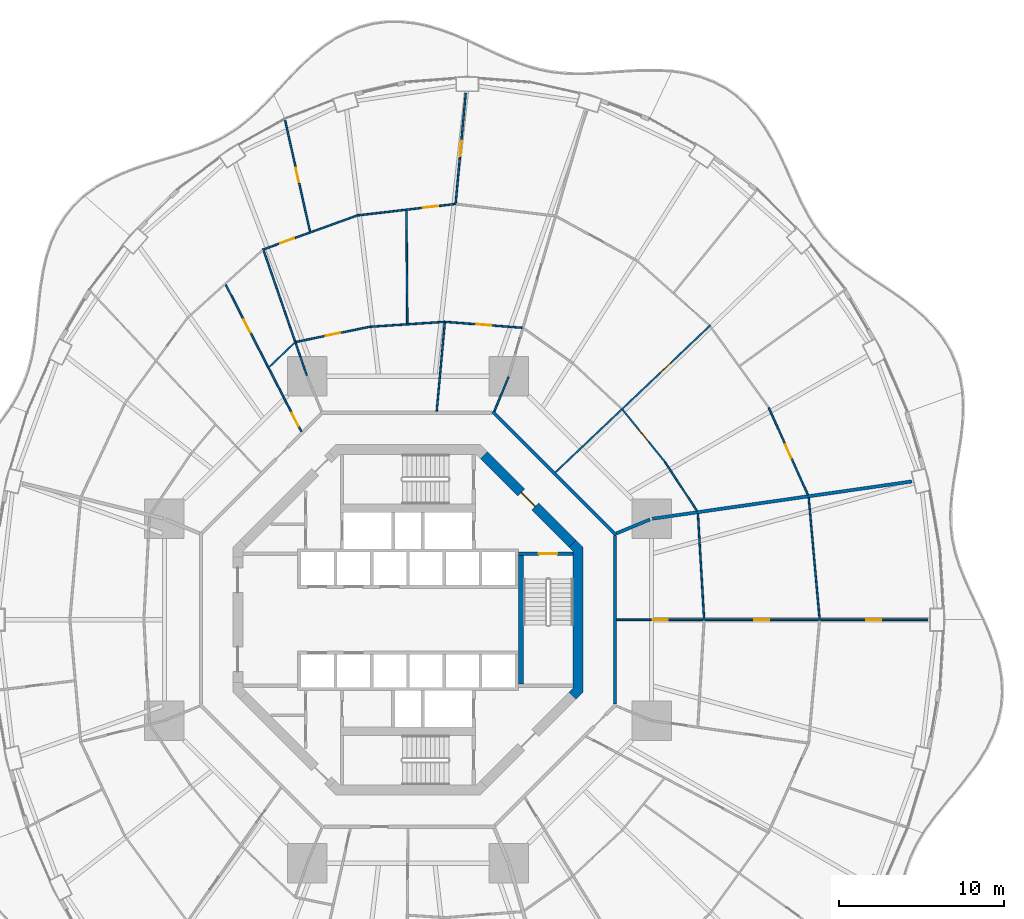
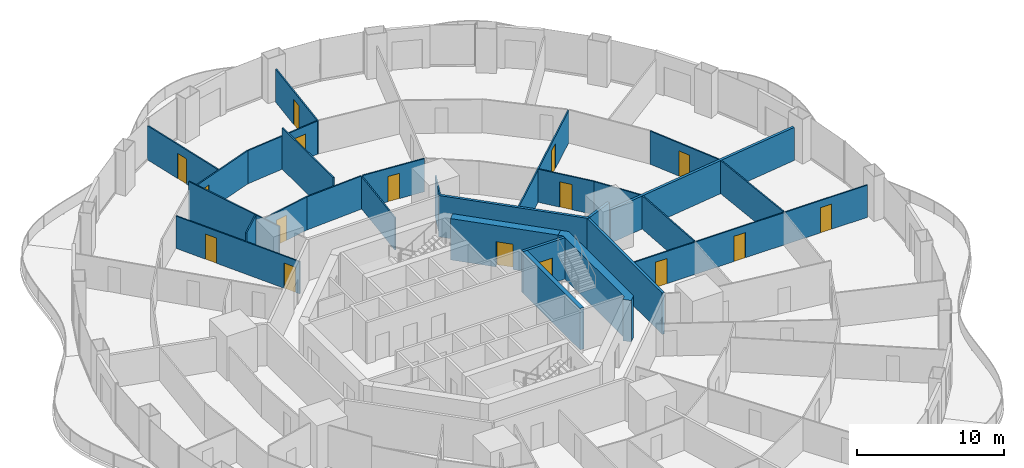
# One storey, part 18 of 22: 28 walls, 16 doors, 16 openings.
"""IFC4 building model written with IfcOpenShell, lengths in metres."""

import ifcopenshell
import ifcopenshell.guid

model = None  # the IFC model being written
_history = None  # IfcOwnerHistory: only IFC2X3 demands one
_inside = {}  # id of a spatial element -> (the spatial element, [elements in it])
_under = {}  # id of a project, library or spatial element -> (it, [spatial elements below it])
_declared = {}  # id of a project -> (the project, [libraries it declares])
_typed = {}  # id of a type object -> (the type object, [elements of that type])
_made_of = {}  # id of a material, layer set ... -> (it, [elements and type objects made of it])


def new_model(schema):
    """Start an empty IFC model of exactly this schema.

    Asked for "IFC4X3", IfcOpenShell would pick the latest addendum, in which some entities
    have other attributes; the version numbers below select the first issue.
    IFC2X3 requires an IfcOwnerHistory on every rooted entity: one is made here for all.
    """
    global model, _history
    if schema == "IFC4X3":
        model = ifcopenshell.file(schema_version=(4, 3, 0, 0))
    else:
        model = ifcopenshell.file(schema=schema)
    _inside.clear()
    _under.clear()
    _declared.clear()
    _typed.clear()
    _made_of.clear()
    _history = None
    if model.schema == "IFC2X3":
        org = make("IfcOrganization", Name="unknown")
        user = make(
            "IfcPersonAndOrganization",
            ThePerson=make("IfcPerson", FamilyName="unknown"),
            TheOrganization=org,
        )
        app = make(
            "IfcApplication",
            ApplicationDeveloper=org,
            Version="unknown",
            ApplicationFullName="unknown",
            ApplicationIdentifier="unknown",
        )
        _history = make(
            "IfcOwnerHistory",
            OwningUser=user,
            OwningApplication=app,
            ChangeAction="ADDED",
            CreationDate=0,
        )
    return model


def make(cls, **values):
    """One entity of the class cls with the attributes given. An attribute that is None is left unset."""
    return model.create_entity(
        cls, **{name: value for name, value in values.items() if value is not None}
    )


def rooted(cls, **values):
    """An entity with a GlobalId (a new one), such as an element, a storey or a relation."""
    return make(cls, GlobalId=ifcopenshell.guid.new(), OwnerHistory=_history, **values)


def si_unit(unit_type, name, prefix=None):
    """IfcSIUnit, for example si_unit("LENGTHUNIT", "METRE", prefix="MILLI")."""
    return make("IfcSIUnit", UnitType=unit_type, Prefix=prefix, Name=name)


def assignment(units):
    """IfcUnitAssignment: the units of a project."""
    return None if units is None else make("IfcUnitAssignment", Units=units)


def point(xyz):
    """IfcCartesianPoint."""
    return None if xyz is None else make("IfcCartesianPoint", Coordinates=xyz)


def direction(xyz):
    """IfcDirection."""
    return None if xyz is None else make("IfcDirection", DirectionRatios=xyz)


def frame(location, z_axis=None, x_axis=None):
    """IfcAxis2Placement3D, a coordinate frame: its origin and axes. An axis left out is left unset."""
    return make(
        "IfcAxis2Placement3D",
        Location=point(location),
        Axis=direction(z_axis),
        RefDirection=direction(x_axis),
    )


def frame_2d(location, x_axis=None):
    """IfcAxis2Placement2D, a coordinate frame in the plane: its origin and x axis."""
    return make(
        "IfcAxis2Placement2D", Location=point(location), RefDirection=direction(x_axis)
    )


def origin():
    """The frame at (0, 0, 0) with its axes left unset."""
    return frame((0.0, 0.0, 0.0))


def place(relative_to, where):
    """IfcLocalPlacement: puts the frame where relative to a parent placement (None: the world)."""
    return make(
        "IfcLocalPlacement", PlacementRelTo=relative_to, RelativePlacement=where
    )


def context(
    kind, dimensions, precision=None, world=None, true_north=None, identifier=None
):
    """IfcGeometricRepresentationContext, for example the 3D "Model" context."""
    return make(
        "IfcGeometricRepresentationContext",
        ContextIdentifier=identifier,
        ContextType=kind,
        CoordinateSpaceDimension=dimensions,
        Precision=precision,
        WorldCoordinateSystem=world,
        TrueNorth=true_north,
    )


def subcontext(parent, identifier, kind, view, scale=None):
    """IfcGeometricRepresentationSubContext, for example "Body" below "Model"."""
    return make(
        "IfcGeometricRepresentationSubContext",
        ContextIdentifier=identifier,
        ContextType=kind,
        ParentContext=parent,
        TargetScale=scale,
        TargetView=view,
    )


def project(units=None, contexts=None):
    """IfcProject with its units and contexts."""
    return rooted(
        "IfcProject",
        Name="project",
        RepresentationContexts=contexts,
        UnitsInContext=assignment(units),
    )


def spatial(cls, under=None, at=None, **own):
    """A site, building, storey or space (cls), placed at a placement, below another one or the project."""
    s = rooted(cls, ObjectPlacement=at, **own)
    if under is not None:
        _under.setdefault(under.id(), (under, []))[1].append(s)
    return s


def polyline(points):
    """IfcPolyline through the points."""
    return make("IfcPolyline", Points=[point(p) for p in points])


def profile(cls, at=None, kind="AREA", **sizes):
    """A parametric profile (cls). Its sizes go by their IFC names, for example OverallWidth=200.0."""
    return make(cls, ProfileType=kind, Position=at, **sizes)


def rectangle(**sizes):
    """IfcRectangleProfileDef."""
    return profile("IfcRectangleProfileDef", **sizes)


def outline(outer, holes=None, kind="AREA"):
    """IfcArbitraryClosedProfileDef: a profile drawn as a closed curve; with holes, ...WithVoids."""
    if holes is None:
        return make("IfcArbitraryClosedProfileDef", ProfileType=kind, OuterCurve=outer)
    return make(
        "IfcArbitraryProfileDefWithVoids",
        ProfileType=kind,
        OuterCurve=outer,
        InnerCurves=holes,
    )


def extrude(swept, where, along, depth):
    """IfcExtrudedAreaSolid: the profile swept, set in the frame where, extruded along a direction by depth."""
    return make(
        "IfcExtrudedAreaSolid",
        SweptArea=swept,
        Position=where,
        ExtrudedDirection=direction(along),
        Depth=depth,
    )


def shape(context_of_items, identifier, shape_type, items):
    """IfcShapeRepresentation: the items that make up one representation, for example the "Body"."""
    return make(
        "IfcShapeRepresentation",
        ContextOfItems=context_of_items,
        RepresentationIdentifier=identifier,
        RepresentationType=shape_type,
        Items=items,
    )


def material(Name=None, Category=None):
    """IfcMaterial."""
    return make("IfcMaterial", Name=Name, Category=Category)


def layer(
    of_material, thickness, ventilated=None, Name=None, Category=None, Priority=None
):
    """IfcMaterialLayer: one layer of a wall or slab, of a material (None: an air gap)."""
    return make(
        "IfcMaterialLayer",
        Material=of_material,
        LayerThickness=thickness,
        IsVentilated=ventilated,
        Name=Name,
        Category=Category,
        Priority=Priority,
    )


def layer_set(layers, Name=None):
    """IfcMaterialLayerSet."""
    return make("IfcMaterialLayerSet", MaterialLayers=layers, LayerSetName=Name)


def made_of(thing, what):
    """Note that an element or type object is made of a material, layer set ...; save() writes the relation."""
    if what is not None:
        _made_of.setdefault(what.id(), (what, []))[1].append(thing)
    return thing


def type_object(cls, material=None, **own):
    """A type object (cls), such as IfcWallType, which elements share."""
    return made_of(rooted(cls, **own), material)


def element(
    cls,
    number,
    at=None,
    inside=None,
    cuts=None,
    type_object=None,
    material=None,
    context=None,
    identifier="Body",
    shape_type=None,
    held_by="IfcProductDefinitionShape",
    body=None,
    shapes=None,
    **own,
):
    """One element of the class cls, such as IfcWall. Its Tag is "e" and its number.

    at: its placement. inside: the storey or other place that contains it. cuts: it is an
    opening in that element (IfcRelVoidsElement). A single representation is given by context,
    identifier, shape_type and body (its items); several are given by shapes. held_by: the class
    of the entity that holds the representations. save() writes the other relations.
    """
    e = rooted(cls, Tag="e%d" % number, ObjectPlacement=at, **own)
    if body is not None:
        shapes = [shape(context, identifier, shape_type, body)]
    if shapes is not None:
        e.Representation = make(held_by, Representations=shapes)
    if inside is not None:
        _inside.setdefault(inside.id(), (inside, []))[1].append(e)
    if cuts is not None:
        rooted(
            "IfcRelVoidsElement", RelatingBuildingElement=cuts, RelatedOpeningElement=e
        )
    if type_object is not None:
        _typed.setdefault(type_object.id(), (type_object, []))[1].append(e)
    return made_of(e, material)


def fill(opening, filler):
    """IfcRelFillsElement: the door or window that sits in an opening."""
    return rooted(
        "IfcRelFillsElement",
        RelatingOpeningElement=opening,
        RelatedBuildingElement=filler,
    )


def aggregate(whole, parts):
    """IfcRelAggregates: a whole, such as a stair, and the parts it consists of."""
    return rooted("IfcRelAggregates", RelatingObject=whole, RelatedObjects=parts)


def save(model, path):
    """Write the relations noted so far, then the file.

    IfcRelAggregates (storeys below a building ...), IfcRelContainedInSpatialStructure (elements
    in a storey), IfcRelDefinesByType, IfcRelAssociatesMaterial and IfcRelDeclares: one each for
    every whole, place, type object, material and project.
    """
    for whole, parts in _under.values():
        aggregate(whole, parts)
    for where, things in _inside.values():
        rooted(
            "IfcRelContainedInSpatialStructure",
            RelatedElements=things,
            RelatingStructure=where,
        )
    for kind, things in _typed.values():
        rooted("IfcRelDefinesByType", RelatedObjects=things, RelatingType=kind)
    for what, things in _made_of.values():
        rooted("IfcRelAssociatesMaterial", RelatedObjects=things, RelatingMaterial=what)
    for by, libraries in _declared.values():
        rooted("IfcRelDeclares", RelatingContext=by, RelatedDefinitions=libraries)
    model.write(path)


model = new_model("IFC4")

# Units and contexts
model_context = context("Model", 3, precision=1e-05, world=origin(), true_north=direction((0.0, 1.0)))
body_context = subcontext(model_context, "Body", "Model", "MODEL_VIEW")
ifc_project = project(units=[si_unit("LENGTHUNIT", "METRE"), si_unit("AREAUNIT", "SQUARE_METRE"), si_unit("VOLUMEUNIT", "CUBIC_METRE"), si_unit("PLANEANGLEUNIT", "RADIAN"), si_unit("MASSUNIT", "GRAM", prefix="KILO")], contexts=[model_context])

# Site, building, storey
site_placement = place(None, origin())
site = spatial("IfcSite", under=ifc_project, at=site_placement, CompositionType="ELEMENT")
building_placement = place(site_placement, origin())
building = spatial("IfcBuilding", under=site, at=building_placement, Name="Nagisa Residences", CompositionType="ELEMENT")
storey_placement = place(building_placement, frame((0.0, 0.0, 38.10009765625)))
storey = spatial("IfcBuildingStorey", under=building, at=storey_placement, Name="L08", CompositionType="ELEMENT", Elevation=38.10009765625)

# Walls
ifc_material_1 = material(Name="Gypsum board on steel studs", Category="steel")
ifc_layer_1 = layer(ifc_material_1, 0.199951171875)
ifc_layer_set_1 = layer_set([ifc_layer_1], Name="Apartment compartment wall EI60 200")
wall_type_1 = type_object("IfcWallType", Name="Apartment compartment wall EI60 200", PredefinedType="PARTITIONING", material=ifc_layer_set_1)
wall_1_placement = place(storey_placement, frame((12.6572265625, 5.24267578125, 0.0), z_axis=(0.0, 0.0, 1.0), x_axis=(0.923853160736, 0.382747093259, 0.0)))
element("IfcWall", 1, at=wall_1_placement, inside=storey, type_object=wall_type_1, Name="wall:L08:u00", PredefinedType="PARTITIONING", context=body_context, shape_type="SweptSolid", body=[
    extrude(rectangle(XDim=2.199951171875, YDim=0.199951171875, at=frame_2d((1.10009765625, 0.0))), origin(), (0.0, 0.0, 1.0), 3.43994140625),
])
wall_2_placement = place(storey_placement, frame((14.83154296875, 6.130126953125, 0.0), z_axis=(0.0, 0.0, 1.0), x_axis=(0.989836541293, 0.142209779978, 0.0)))
element("IfcWall", 2, at=wall_2_placement, inside=storey, type_object=wall_type_1, Name="wall:L08:u01", PredefinedType="PARTITIONING", context=body_context, shape_type="SweptSolid", body=[
    extrude(rectangle(XDim=15.9091796875, YDim=0.199951171875, at=frame_2d((7.95458984375, 0.0))), origin(), (0.0, 0.0, 1.0), 2.755859375),
])
ifc_material_2 = material(Name="Gypsum board on steel studs", Category="steel")
ifc_layer_2 = layer(ifc_material_2, 0.199951171875)
ifc_layer_set_2 = layer_set([ifc_layer_2], Name="Apartment entry wall EI60 200")
wall_type_2 = type_object("IfcWallType", Name="Apartment entry wall EI60 200", PredefinedType="PARTITIONING", material=ifc_layer_set_2)
wall_3_placement = place(storey_placement, frame((12.564697265625, -5.1044921875, 0.0), z_axis=(0.0, 0.0, 1.0), x_axis=(0.0, 1.0, 0.0)))
element("IfcWall", 3, at=wall_3_placement, inside=storey, type_object=wall_type_2, Name="wall:L08:u06", PredefinedType="PARTITIONING", context=body_context, shape_type="SweptSolid", body=[
    extrude(rectangle(XDim=10.208984375, YDim=0.199951171875, at=frame_2d((5.1044921875, 0.0))), origin(), (0.0, 0.0, 1.0), 3.43994140625),
])
wall_4_placement = place(storey_placement, frame((12.635498046875, 5.1337890625, 0.0), z_axis=(0.0, 0.0, 1.0), x_axis=(-0.707106781187, 0.707106781187, 0.0)))
element("IfcWall", 4, at=wall_4_placement, inside=storey, type_object=wall_type_2, Name="wall:L08:u07", PredefinedType="PARTITIONING", context=body_context, shape_type="SweptSolid", body=[
    extrude(rectangle(XDim=10.609130859375, YDim=0.199951171875, at=frame_2d((5.3046875, 0.0))), origin(), (0.0, 0.0, 1.0), 3.43994140625),
])

# Wall, openings, doors
ifc_material_3 = material(Name="Gypsum board on steel studs", Category="steel")
ifc_layer_3 = layer(ifc_material_3, 0.10009765625)
ifc_layer_set_3 = layer_set([ifc_layer_3], Name="Apartment partition 100")
wall_type_3 = type_object("IfcWallType", Name="Apartment partition 100", PredefinedType="PARTITIONING", material=ifc_layer_set_3)
wall_5_placement = place(storey_placement, frame((12.664794921875, 0.0, 0.0), z_axis=(0.0, 0.0, 1.0), x_axis=(1.0, 0.0, 0.0)))
wall_5 = element("IfcWall", 5, at=wall_5_placement, inside=storey, type_object=wall_type_3, Name="wall:L08:u14", PredefinedType="PARTITIONING", context=body_context, shape_type="SweptSolid", body=[
    extrude(rectangle(XDim=18.88525390625, YDim=0.10009765625, at=frame_2d((9.442626953125, 0.0))), origin(), (0.0, 0.0, 1.0), 2.68701171875),
])
opening_1_placement = place(wall_5_placement, frame((2.204833984375, 0.0, 0.0)))
opening_1 = element("IfcOpeningElement", 6, at=opening_1_placement, cuts=wall_5, Name="Opening L08-U41", PredefinedType="OPENING", context=body_context, shape_type="SweptSolid", body=[
    extrude(rectangle(XDim=0.89990234375, YDim=2.10009765625, at=frame_2d((0.449951171875, 1.050048828125))), frame((0.0, 0.06005859375, 0.0), z_axis=(0.0, -1.0, 0.0), x_axis=(1.0, 0.0, 0.0)), (0.0, 0.0, 1.0), 0.1201171875),
])
opening_2_placement = place(wall_5_placement, frame((8.36572265625, 0.0, 0.0)))
opening_2 = element("IfcOpeningElement", 7, at=opening_2_placement, cuts=wall_5, Name="Opening L08-U45", PredefinedType="OPENING", context=body_context, shape_type="SweptSolid", body=[
    extrude(rectangle(XDim=0.89990234375, YDim=2.10009765625, at=frame_2d((0.449951171875, 1.050048828125))), frame((0.0, 0.06005859375, 0.0), z_axis=(0.0, -1.0, 0.0), x_axis=(1.0, 0.0, 0.0)), (0.0, 0.0, 1.0), 0.1201171875),
])
opening_3_placement = place(wall_5_placement, frame((15.153564453125, 0.0, 0.0)))
opening_3 = element("IfcOpeningElement", 8, at=opening_3_placement, cuts=wall_5, Name="Opening L08-U49", PredefinedType="OPENING", context=body_context, shape_type="SweptSolid", body=[
    extrude(rectangle(XDim=0.89990234375, YDim=2.10009765625, at=frame_2d((0.449951171875, 1.050048828125))), frame((0.0, 0.06005859375, 0.0), z_axis=(0.0, -1.0, 0.0), x_axis=(1.0, 0.0, 0.0)), (0.0, 0.0, 1.0), 0.1201171875),
])
ifc_material_4 = material(Name="Timber door set", Category="wood")
door_type_1 = type_object("IfcDoorType", Name="Apartment door 900x2100", OperationType="NOTDEFINED", PredefinedType="DOOR", material=ifc_material_4)
door_1_placement = place(opening_1_placement, origin())
door_1 = element("IfcDoor", 9, at=door_1_placement, inside=storey, type_object=door_type_1, Name="Door to store, Apartment 08C", OperationType="SINGLE_SWING_LEFT", OverallHeight=2.10009765625, OverallWidth=0.89990234375, PredefinedType="DOOR", context=body_context, shape_type="SweptSolid", body=[
    extrude(rectangle(XDim=0.89990234375, YDim=2.10009765625, at=frame_2d((0.449951171875, 1.050048828125))), frame((0.0, 0.02490234375, 0.0), z_axis=(0.0, -1.0, 0.0), x_axis=(1.0, 0.0, 0.0)), (0.0, 0.0, 1.0), 0.050048828125),
])
fill(opening_1, door_1)
door_2_placement = place(opening_2_placement, origin())
door_2 = element("IfcDoor", 10, at=door_2_placement, inside=storey, type_object=door_type_1, Name="Door to family room, Apartment 08C", OperationType="SINGLE_SWING_LEFT", OverallHeight=2.10009765625, OverallWidth=0.89990234375, PredefinedType="DOOR", context=body_context, shape_type="SweptSolid", body=[
    extrude(rectangle(XDim=0.89990234375, YDim=2.10009765625, at=frame_2d((0.449951171875, 1.050048828125))), frame((0.0, 0.02490234375, 0.0), z_axis=(0.0, -1.0, 0.0), x_axis=(1.0, 0.0, 0.0)), (0.0, 0.0, 1.0), 0.050048828125),
])
fill(opening_2, door_2)
door_3_placement = place(opening_3_placement, origin())
door_3 = element("IfcDoor", 11, at=door_3_placement, inside=storey, type_object=door_type_1, Name="Door to family room, Apartment 08C", OperationType="SINGLE_SWING_LEFT", OverallHeight=2.10009765625, OverallWidth=0.89990234375, PredefinedType="DOOR", context=body_context, shape_type="SweptSolid", body=[
    extrude(rectangle(XDim=0.89990234375, YDim=2.10009765625, at=frame_2d((0.449951171875, 1.050048828125))), frame((0.0, 0.02490234375, 0.0), z_axis=(0.0, -1.0, 0.0), x_axis=(1.0, 0.0, 0.0)), (0.0, 0.0, 1.0), 0.050048828125),
])
fill(opening_3, door_3)

# Walls
wall_6_placement = place(storey_placement, frame((17.971435546875, 0.0498046875, 0.0), z_axis=(0.0, 0.0, 1.0), x_axis=(-0.058513659907, 0.998286607946, 0.0)))
element("IfcWall", 12, at=wall_6_placement, inside=storey, type_object=wall_type_3, Name="wall:L08:u15", PredefinedType="PARTITIONING", context=body_context, shape_type="SweptSolid", body=[
    extrude(rectangle(XDim=6.387939453125, YDim=0.10009765625, at=frame_2d((3.19384765625, 0.0))), origin(), (0.0, 0.0, 1.0), 2.755859375),
])
wall_7_placement = place(storey_placement, frame((24.982177734375, 0.0498046875, 0.0), z_axis=(0.0, 0.0, 1.0), x_axis=(-0.08944290521, 0.995991951126, 0.0)))
element("IfcWall", 13, at=wall_7_placement, inside=storey, type_object=wall_type_3, Name="wall:L08:u17", PredefinedType="PARTITIONING", context=body_context, shape_type="SweptSolid", body=[
    extrude(rectangle(XDim=7.37255859375, YDim=0.10009765625, at=frame_2d((3.686279296875, 0.0))), origin(), (0.0, 0.0, 1.0), 2.755859375),
])
wall_8_placement = place(storey_placement, frame((17.537109375, 6.6103515625, 0.0), z_axis=(0.0, 0.0, 1.0), x_axis=(-0.547637987196, 0.836715384692, 0.0)))
element("IfcWall", 14, at=wall_8_placement, inside=storey, type_object=wall_type_3, Name="wall:L08:u19", PredefinedType="PARTITIONING", context=body_context, shape_type="SweptSolid", body=[
    extrude(rectangle(XDim=3.52001953125, YDim=0.10009765625, at=frame_2d((1.760009765625, 0.0))), origin(), (0.0, 0.0, 1.0), 2.755859375),
])

# Wall, opening, door
wall_9_placement = place(storey_placement, frame((24.272705078125, 7.583740234375, 0.0), z_axis=(0.0, 0.0, 1.0), x_axis=(-0.410201529109, 0.911994904326, 0.0)))
wall_9 = element("IfcWall", 15, at=wall_9_placement, inside=storey, type_object=wall_type_3, Name="wall:L08:u20", PredefinedType="PARTITIONING", context=body_context, shape_type="SweptSolid", body=[
    extrude(rectangle(XDim=5.786865234375, YDim=0.10009765625, at=frame_2d((2.8935546875, 0.0))), origin(), (0.0, 0.0, 1.0), 2.755859375),
])
opening_4_placement = place(wall_9_placement, frame((2.443603515625, 0.0, 0.0)))
opening_4 = element("IfcOpeningElement", 16, at=opening_4_placement, cuts=wall_9, Name="Opening L08-U19", PredefinedType="OPENING", context=body_context, shape_type="SweptSolid", body=[
    extrude(rectangle(XDim=0.89990234375, YDim=2.10009765625, at=frame_2d((0.449951171875, 1.050048828125))), frame((0.0, 0.06005859375, 0.0), z_axis=(0.0, -1.0, 0.0), x_axis=(1.0, 0.0, 0.0)), (0.0, 0.0, 1.0), 0.1201171875),
])
door_4_placement = place(opening_4_placement, frame((0.89990234375, 0.0, 0.0), x_axis=(-1.0, 0.0, 0.0)))
door_4 = element("IfcDoor", 17, at=door_4_placement, inside=storey, type_object=door_type_1, Name="Door to family room, Apartment 08A", OperationType="SINGLE_SWING_RIGHT", OverallHeight=2.10009765625, OverallWidth=0.89990234375, PredefinedType="DOOR", context=body_context, shape_type="SweptSolid", body=[
    extrude(rectangle(XDim=0.89990234375, YDim=2.10009765625, at=frame_2d((0.449951171875, 1.050048828125))), frame((0.0, 0.02490234375, 0.0), z_axis=(0.0, -1.0, 0.0), x_axis=(1.0, 0.0, 0.0)), (0.0, 0.0, 1.0), 0.050048828125),
])
fill(opening_4, door_4)

wall_10_placement = place(storey_placement, frame((15.613525390625, 9.55859375, 0.0), z_axis=(0.0, 0.0, 1.0), x_axis=(-0.63012473344, 0.776493928056, 0.0)))
wall_10 = element("IfcWall", 18, at=wall_10_placement, inside=storey, type_object=wall_type_3, Name="wall:L08:u21", PredefinedType="PARTITIONING", context=body_context, shape_type="SweptSolid", body=[
    extrude(rectangle(XDim=4.1064453125, YDim=0.10009765625, at=frame_2d((2.05322265625, 0.0))), origin(), (0.0, 0.0, 1.0), 2.755859375),
])
opening_5_placement = place(wall_10_placement, frame((1.628173828125, 0.0, 0.0)))
opening_5 = element("IfcOpeningElement", 19, at=opening_5_placement, cuts=wall_10, Name="Opening L08-U20", PredefinedType="OPENING", context=body_context, shape_type="SweptSolid", body=[
    extrude(rectangle(XDim=0.89990234375, YDim=2.10009765625, at=frame_2d((0.449951171875, 1.050048828125))), frame((0.0, 0.06005859375, 0.0), z_axis=(0.0, -1.0, 0.0), x_axis=(1.0, 0.0, 0.0)), (0.0, 0.0, 1.0), 0.1201171875),
])
door_5_placement = place(opening_5_placement, origin())
door_5 = element("IfcDoor", 20, at=door_5_placement, inside=storey, type_object=door_type_1, Name="Door to laundry, Apartment 08A", OperationType="SINGLE_SWING_RIGHT", OverallHeight=2.10009765625, OverallWidth=0.89990234375, PredefinedType="DOOR", context=body_context, shape_type="SweptSolid", body=[
    extrude(rectangle(XDim=0.89990234375, YDim=2.10009765625, at=frame_2d((0.449951171875, 1.050048828125))), frame((0.0, 0.02490234375, 0.0), z_axis=(0.0, -1.0, 0.0), x_axis=(1.0, 0.0, 0.0)), (0.0, 0.0, 1.0), 0.050048828125),
])
fill(opening_5, door_5)

wall_11_placement = place(storey_placement, frame((8.95703125, 8.953369140625, 0.0), z_axis=(0.0, 0.0, 1.0), x_axis=(0.725250022034, 0.688485588476, 0.0)))
wall_11 = element("IfcWall", 21, at=wall_11_placement, inside=storey, type_object=wall_type_3, Name="wall:L08:u24", PredefinedType="PARTITIONING", context=body_context, shape_type="SweptSolid", body=[
    extrude(rectangle(XDim=12.962646484375, YDim=0.10009765625, at=frame_2d((6.4814453125, 0.0))), origin(), (0.0, 0.0, 1.0), 2.68701171875),
])
opening_6_placement = place(wall_11_placement, frame((8.78955078125, 0.0, 0.0)))
opening_6 = element("IfcOpeningElement", 22, at=opening_6_placement, cuts=wall_11, Name="Opening L08-U18", PredefinedType="OPENING", context=body_context, shape_type="SweptSolid", body=[
    extrude(rectangle(XDim=0.89990234375, YDim=2.10009765625, at=frame_2d((0.449951171875, 1.050048828125))), frame((0.0, 0.06005859375, 0.0), z_axis=(0.0, -1.0, 0.0), x_axis=(1.0, 0.0, 0.0)), (0.0, 0.0, 1.0), 0.1201171875),
])
door_6_placement = place(opening_6_placement, frame((0.89990234375, 0.0, 0.0), x_axis=(-1.0, 0.0, 0.0)))
door_6 = element("IfcDoor", 23, at=door_6_placement, inside=storey, type_object=door_type_1, Name="Door to dining room, Apartment 08A", OperationType="SINGLE_SWING_LEFT", OverallHeight=2.10009765625, OverallWidth=0.89990234375, PredefinedType="DOOR", context=body_context, shape_type="SweptSolid", body=[
    extrude(rectangle(XDim=0.89990234375, YDim=2.10009765625, at=frame_2d((0.449951171875, 1.050048828125))), frame((0.0, 0.02490234375, 0.0), z_axis=(0.0, -1.0, 0.0), x_axis=(1.0, 0.0, 0.0)), (0.0, 0.0, 1.0), 0.050048828125),
])
fill(opening_6, door_6)

# Wall
wall_12_placement = place(storey_placement, frame((5.24267578125, 12.6572265625, 0.0), z_axis=(0.0, 0.0, 1.0), x_axis=(0.382719158442, 0.923864733477, 0.0)))
element("IfcWall", 24, at=wall_12_placement, inside=storey, type_object=wall_type_3, Name="wall:L08:u30", PredefinedType="PARTITIONING", context=body_context, shape_type="SweptSolid", body=[
    extrude(rectangle(XDim=2.25, YDim=0.10009765625, at=frame_2d((1.125, 0.0))), origin(), (0.0, 0.0, 1.0), 3.43994140625),
])

# Wall, opening, door
wall_13_placement = place(storey_placement, frame((6.92822265625, 17.71923828125, 0.0), z_axis=(0.0, 0.0, 1.0), x_axis=(-0.997017959142, 0.077169872028, 0.0)))
wall_13 = element("IfcWall", 25, at=wall_13_placement, inside=storey, type_object=wall_type_3, Name="wall:L08:u32", PredefinedType="PARTITIONING", context=body_context, shape_type="SweptSolid", body=[
    extrude(rectangle(XDim=4.65380859375, YDim=0.10009765625, at=frame_2d((2.326904296875, 0.0))), origin(), (0.0, 0.0, 1.0), 2.755859375),
])
opening_7_placement = place(wall_13_placement, frame((1.876953125, 0.0, 0.0)))
opening_7 = element("IfcOpeningElement", 26, at=opening_7_placement, cuts=wall_13, Name="Opening L08-U13", PredefinedType="OPENING", context=body_context, shape_type="SweptSolid", body=[
    extrude(rectangle(XDim=0.89990234375, YDim=2.10009765625, at=frame_2d((0.449951171875, 1.050048828125))), frame((0.0, 0.06005859375, 0.0), z_axis=(0.0, -1.0, 0.0), x_axis=(1.0, 0.0, 0.0)), (0.0, 0.0, 1.0), 0.1201171875),
])
door_7_placement = place(opening_7_placement, origin())
door_7 = element("IfcDoor", 27, at=door_7_placement, inside=storey, type_object=door_type_1, Name="Door to laundry, Apartment 08A", OperationType="SINGLE_SWING_LEFT", OverallHeight=2.10009765625, OverallWidth=0.89990234375, PredefinedType="DOOR", context=body_context, shape_type="SweptSolid", body=[
    extrude(rectangle(XDim=0.89990234375, YDim=2.10009765625, at=frame_2d((0.449951171875, 1.050048828125))), frame((0.0, 0.02490234375, 0.0), z_axis=(0.0, -1.0, 0.0), x_axis=(1.0, 0.0, 0.0)), (0.0, 0.0, 1.0), 0.050048828125),
])
fill(opening_7, door_7)

# Walls
wall_14_placement = place(storey_placement, frame((1.743896484375, 12.664306640625, 0.0), z_axis=(0.0, 0.0, 1.0), x_axis=(0.090888552747, 0.995861070119, 0.0)))
element("IfcWall", 28, at=wall_14_placement, inside=storey, type_object=wall_type_3, Name="wall:L08:u34", PredefinedType="PARTITIONING", context=body_context, shape_type="SweptSolid", body=[
    extrude(rectangle(XDim=5.490478515625, YDim=0.10009765625, at=frame_2d((2.7451171875, 0.0))), origin(), (0.0, 0.0, 1.0), 2.68701171875),
])
wall_15_placement = place(storey_placement, frame((2.1884765625, 18.078857421875, 0.0), z_axis=(0.0, 0.0, 1.0), x_axis=(-0.997791437766, -0.066424744789, 0.0)))
element("IfcWall", 29, at=wall_15_placement, inside=storey, type_object=wall_type_3, Name="wall:L08:u35", PredefinedType="PARTITIONING", context=body_context, shape_type="SweptSolid", body=[
    extrude(rectangle(XDim=4.46923828125, YDim=0.10009765625, at=frame_2d((2.234619140625, 0.0))), origin(), (0.0, 0.0, 1.0), 2.755859375),
])

# Wall, opening, door
wall_16_placement = place(storey_placement, frame((2.88671875, 25.184814453125, 0.0), z_axis=(0.0, 0.0, 1.0), x_axis=(0.090885272046, 0.995861369531, 0.0)))
wall_16 = element("IfcWall", 30, at=wall_16_placement, inside=storey, type_object=wall_type_3, Name="wall:L08:u36", PredefinedType="PARTITIONING", context=body_context, shape_type="SweptSolid", body=[
    extrude(rectangle(XDim=6.801513671875, YDim=0.10009765625, at=frame_2d((3.40087890625, 0.0))), origin(), (0.0, 0.0, 1.0), 2.755859375),
])
opening_8_placement = place(wall_16_placement, frame((2.975830078125, 0.0, 0.0)))
opening_8 = element("IfcOpeningElement", 31, at=opening_8_placement, cuts=wall_16, Name="Opening L08-U12", PredefinedType="OPENING", context=body_context, shape_type="SweptSolid", body=[
    extrude(rectangle(XDim=0.89990234375, YDim=2.10009765625, at=frame_2d((0.449951171875, 1.050048828125))), frame((0.0, 0.06005859375, 0.0), z_axis=(0.0, -1.0, 0.0), x_axis=(1.0, 0.0, 0.0)), (0.0, 0.0, 1.0), 0.1201171875),
])
door_8_placement = place(opening_8_placement, frame((0.89990234375, 0.0, 0.0), x_axis=(-1.0, 0.0, 0.0)))
door_8 = element("IfcDoor", 32, at=door_8_placement, inside=storey, type_object=door_type_1, Name="Door to master bedroom, Apartment 08A", OperationType="SINGLE_SWING_LEFT", OverallHeight=2.10009765625, OverallWidth=0.89990234375, PredefinedType="DOOR", context=body_context, shape_type="SweptSolid", body=[
    extrude(rectangle(XDim=0.89990234375, YDim=2.10009765625, at=frame_2d((0.449951171875, 1.050048828125))), frame((0.0, 0.02490234375, 0.0), z_axis=(0.0, -1.0, 0.0), x_axis=(1.0, 0.0, 0.0)), (0.0, 0.0, 1.0), 0.050048828125),
])
fill(opening_8, door_8)

wall_17_placement = place(storey_placement, frame((2.841552734375, 25.228759765625, 0.0), z_axis=(0.0, 0.0, 1.0), x_axis=(-0.993255612046, -0.115945198862, 0.0)))
wall_17 = element("IfcWall", 33, at=wall_17_placement, inside=storey, type_object=wall_type_3, Name="wall:L08:u37", PredefinedType="PARTITIONING", context=body_context, shape_type="SweptSolid", body=[
    extrude(rectangle(XDim=5.91259765625, YDim=0.10009765625, at=frame_2d((2.956298828125, 0.0))), origin(), (0.0, 0.0, 1.0), 2.755859375),
])
opening_9_placement = place(wall_17_placement, frame((1.028076171875, 0.0, 0.0)))
opening_9 = element("IfcOpeningElement", 34, at=opening_9_placement, cuts=wall_17, Name="Opening L08-U11", PredefinedType="OPENING", context=body_context, shape_type="SweptSolid", body=[
    extrude(rectangle(XDim=0.89990234375, YDim=2.10009765625, at=frame_2d((0.449951171875, 1.050048828125))), frame((0.0, 0.06005859375, 0.0), z_axis=(0.0, -1.0, 0.0), x_axis=(1.0, 0.0, 0.0)), (0.0, 0.0, 1.0), 0.1201171875),
])
door_9_placement = place(opening_9_placement, origin())
door_9 = element("IfcDoor", 35, at=door_9_placement, inside=storey, type_object=door_type_1, Name="Door to dining room, Apartment 08A", OperationType="SINGLE_SWING_LEFT", OverallHeight=2.10009765625, OverallWidth=0.89990234375, PredefinedType="DOOR", context=body_context, shape_type="SweptSolid", body=[
    extrude(rectangle(XDim=0.89990234375, YDim=2.10009765625, at=frame_2d((0.449951171875, 1.050048828125))), frame((0.0, 0.02490234375, 0.0), z_axis=(0.0, -1.0, 0.0), x_axis=(1.0, 0.0, 0.0)), (0.0, 0.0, 1.0), 0.050048828125),
])
fill(opening_9, door_9)

# Wall
wall_18_placement = place(storey_placement, frame((-0.041748046875, 17.98046875, 0.0), z_axis=(0.0, 0.0, 1.0), x_axis=(-0.007692080119, 0.999970415514, 0.0)))
element("IfcWall", 36, at=wall_18_placement, inside=storey, type_object=wall_type_3, Name="wall:L08:u38", PredefinedType="PARTITIONING", context=body_context, shape_type="SweptSolid", body=[
    extrude(rectangle(XDim=6.855712890625, YDim=0.10009765625, at=frame_2d((3.427734375, 0.0))), origin(), (0.0, 0.0, 1.0), 3.43994140625),
])

# Wall, opening, door
wall_19_placement = place(storey_placement, frame((-2.27197265625, 17.788818359375, 0.0), z_axis=(0.0, 0.0, 1.0), x_axis=(-0.979587203416, -0.2010196779, 0.0)))
wall_19 = element("IfcWall", 37, at=wall_19_placement, inside=storey, type_object=wall_type_3, Name="wall:L08:u39", PredefinedType="PARTITIONING", context=body_context, shape_type="SweptSolid", body=[
    extrude(rectangle(XDim=4.61279296875, YDim=0.10009765625, at=frame_2d((2.306396484375, 0.0))), origin(), (0.0, 0.0, 1.0), 2.755859375),
])
opening_10_placement = place(wall_19_placement, frame((1.88134765625, 0.0, 0.0)))
opening_10 = element("IfcOpeningElement", 38, at=opening_10_placement, cuts=wall_19, Name="Opening L08-U10", PredefinedType="OPENING", context=body_context, shape_type="SweptSolid", body=[
    extrude(rectangle(XDim=0.89990234375, YDim=2.10009765625, at=frame_2d((0.449951171875, 1.050048828125))), frame((0.0, 0.06005859375, 0.0), z_axis=(0.0, -1.0, 0.0), x_axis=(1.0, 0.0, 0.0)), (0.0, 0.0, 1.0), 0.1201171875),
])
door_10_placement = place(opening_10_placement, origin())
door_10 = element("IfcDoor", 39, at=door_10_placement, inside=storey, type_object=door_type_1, Name="Door to store, Apartment 08A", OperationType="SINGLE_SWING_RIGHT", OverallHeight=2.10009765625, OverallWidth=0.89990234375, PredefinedType="DOOR", context=body_context, shape_type="SweptSolid", body=[
    extrude(rectangle(XDim=0.89990234375, YDim=2.10009765625, at=frame_2d((0.449951171875, 1.050048828125))), frame((0.0, 0.02490234375, 0.0), z_axis=(0.0, -1.0, 0.0), x_axis=(1.0, 0.0, 0.0)), (0.0, 0.0, 1.0), 0.050048828125),
])
fill(opening_10, door_10)

wall_20_placement = place(storey_placement, frame((-3.03369140625, 24.554443359375, 0.0), z_axis=(0.0, 0.0, 1.0), x_axis=(-0.940401691072, -0.340065669288, 0.0)))
wall_20 = element("IfcWall", 40, at=wall_20_placement, inside=storey, type_object=wall_type_3, Name="wall:L08:u40", PredefinedType="PARTITIONING", context=body_context, shape_type="SweptSolid", body=[
    extrude(rectangle(XDim=6.067138671875, YDim=0.10009765625, at=frame_2d((3.03369140625, 0.0))), origin(), (0.0, 0.0, 1.0), 2.755859375),
])
opening_11_placement = place(wall_20_placement, frame((4.125244140625, 0.0, 0.0)))
opening_11 = element("IfcOpeningElement", 41, at=opening_11_placement, cuts=wall_20, Name="Opening L08-U08", PredefinedType="OPENING", context=body_context, shape_type="SweptSolid", body=[
    extrude(rectangle(XDim=0.89990234375, YDim=2.10009765625, at=frame_2d((0.449951171875, 1.050048828125))), frame((0.0, 0.06005859375, 0.0), z_axis=(0.0, -1.0, 0.0), x_axis=(1.0, 0.0, 0.0)), (0.0, 0.0, 1.0), 0.1201171875),
])
door_11_placement = place(opening_11_placement, origin())
door_11 = element("IfcDoor", 42, at=door_11_placement, inside=storey, type_object=door_type_1, Name="Door to family room, Apartment 08A", OperationType="SINGLE_SWING_RIGHT", OverallHeight=2.10009765625, OverallWidth=0.89990234375, PredefinedType="DOOR", context=body_context, shape_type="SweptSolid", body=[
    extrude(rectangle(XDim=0.89990234375, YDim=2.10009765625, at=frame_2d((0.449951171875, 1.050048828125))), frame((0.0, 0.02490234375, 0.0), z_axis=(0.0, -1.0, 0.0), x_axis=(1.0, 0.0, 0.0)), (0.0, 0.0, 1.0), 0.050048828125),
])
fill(opening_11, door_11)

wall_21_placement = place(storey_placement, frame((-5.944580078125, 23.5546875, 0.0), z_axis=(0.0, 0.0, 1.0), x_axis=(-0.218598565433, 0.975814873421, 0.0)))
wall_21 = element("IfcWall", 43, at=wall_21_placement, inside=storey, type_object=wall_type_3, Name="wall:L08:u41", PredefinedType="PARTITIONING", context=body_context, shape_type="SweptSolid", body=[
    extrude(rectangle(XDim=7.065185546875, YDim=0.10009765625, at=frame_2d((3.53271484375, 0.0))), origin(), (0.0, 0.0, 1.0), 2.8369140625),
])
opening_12_placement = place(wall_21_placement, frame((3.08251953125, 0.0, 0.0)))
opening_12 = element("IfcOpeningElement", 44, at=opening_12_placement, cuts=wall_21, Name="Opening L08-U09", PredefinedType="OPENING", context=body_context, shape_type="SweptSolid", body=[
    extrude(rectangle(XDim=0.89990234375, YDim=2.10009765625, at=frame_2d((0.449951171875, 1.050048828125))), frame((0.0, 0.06005859375, 0.0), z_axis=(0.0, -1.0, 0.0), x_axis=(1.0, 0.0, 0.0)), (0.0, 0.0, 1.0), 0.1201171875),
])
door_12_placement = place(opening_12_placement, frame((0.89990234375, 0.0, 0.0), x_axis=(-1.0, 0.0, 0.0)))
door_12 = element("IfcDoor", 45, at=door_12_placement, inside=storey, type_object=door_type_1, Name="Door to living room, Apartment 08A", OperationType="SINGLE_SWING_RIGHT", OverallHeight=2.10009765625, OverallWidth=0.89990234375, PredefinedType="DOOR", context=body_context, shape_type="SweptSolid", body=[
    extrude(rectangle(XDim=0.89990234375, YDim=2.10009765625, at=frame_2d((0.449951171875, 1.050048828125))), frame((0.0, 0.02490234375, 0.0), z_axis=(0.0, -1.0, 0.0), x_axis=(1.0, 0.0, 0.0)), (0.0, 0.0, 1.0), 0.050048828125),
])
fill(opening_12, door_12)

# Walls
wall_22_placement = place(storey_placement, frame((-6.139404296875, 14.829345703125, 0.0), z_axis=(0.0, 0.0, 1.0), x_axis=(-0.327183700812, 0.944960753642, 0.0)))
element("IfcWall", 46, at=wall_22_placement, inside=storey, type_object=wall_type_3, Name="wall:L08:u43", PredefinedType="PARTITIONING", context=body_context, shape_type="SweptSolid", body=[
    extrude(rectangle(XDim=8.14013671875, YDim=0.10009765625, at=frame_2d((4.070068359375, 0.0))), origin(), (0.0, 0.0, 1.0), 3.43994140625),
])
wall_23_placement = place(storey_placement, frame((-6.875732421875, 16.817138671875, 0.0), z_axis=(0.0, 0.0, 1.0), x_axis=(-0.722762371977, -0.691096631199, 0.0)))
element("IfcWall", 47, at=wall_23_placement, inside=storey, type_object=wall_type_3, Name="wall:L08:u44", PredefinedType="PARTITIONING", context=body_context, shape_type="SweptSolid", body=[
    extrude(rectangle(XDim=2.24365234375, YDim=0.10009765625, at=frame_2d((1.121826171875, 0.0))), origin(), (0.0, 0.0, 1.0), 3.43994140625),
])

# Wall, openings, doors
wall_24_placement = place(storey_placement, frame((-6.47705078125, 11.427001953125, 0.0), z_axis=(0.0, 0.0, 1.0), x_axis=(-0.457464037982, 0.889228122561, 0.0)))
wall_24 = element("IfcWall", 48, at=wall_24_placement, inside=storey, type_object=wall_type_3, Name="wall:L08:u46", PredefinedType="PARTITIONING", context=body_context, shape_type="SweptSolid", body=[
    extrude(rectangle(XDim=10.03173828125, YDim=0.10009765625, at=frame_2d((5.015869140625, 0.0))), origin(), (0.0, 0.0, 1.0), 2.68701171875),
])
opening_13_placement = place(wall_24_placement, frame((0.35009765625, 0.0, 0.0)))
opening_13 = element("IfcOpeningElement", 49, at=opening_13_placement, cuts=wall_24, Name="Opening L08-U02", PredefinedType="OPENING", context=body_context, shape_type="SweptSolid", body=[
    extrude(rectangle(XDim=0.89990234375, YDim=2.10009765625, at=frame_2d((0.449951171875, 1.050048828125))), frame((0.0, 0.06005859375, 0.0), z_axis=(0.0, -1.0, 0.0), x_axis=(1.0, 0.0, 0.0)), (0.0, 0.0, 1.0), 0.1201171875),
])
opening_14_placement = place(wall_24_placement, frame((6.735107421875, 0.0, 0.0)))
opening_14 = element("IfcOpeningElement", 50, at=opening_14_placement, cuts=wall_24, Name="Opening L08-U04", PredefinedType="OPENING", context=body_context, shape_type="SweptSolid", body=[
    extrude(rectangle(XDim=0.89990234375, YDim=2.10009765625, at=frame_2d((0.449951171875, 1.050048828125))), frame((0.0, 0.06005859375, 0.0), z_axis=(0.0, -1.0, 0.0), x_axis=(1.0, 0.0, 0.0)), (0.0, 0.0, 1.0), 0.1201171875),
])
door_13_placement = place(opening_13_placement, frame((0.89990234375, 0.0, 0.0), x_axis=(-1.0, 0.0, 0.0)))
door_13 = element("IfcDoor", 51, at=door_13_placement, inside=storey, type_object=door_type_1, Name="Door to family bathroom, Apartment 08A", OperationType="SINGLE_SWING_LEFT", OverallHeight=2.10009765625, OverallWidth=0.89990234375, PredefinedType="DOOR", context=body_context, shape_type="SweptSolid", body=[
    extrude(rectangle(XDim=0.89990234375, YDim=2.10009765625, at=frame_2d((0.449951171875, 1.050048828125))), frame((0.0, 0.02490234375, 0.0), z_axis=(0.0, -1.0, 0.0), x_axis=(1.0, 0.0, 0.0)), (0.0, 0.0, 1.0), 0.050048828125),
])
fill(opening_13, door_13)
door_14_placement = place(opening_14_placement, frame((0.89990234375, 0.0, 0.0), x_axis=(-1.0, 0.0, 0.0)))
door_14 = element("IfcDoor", 52, at=door_14_placement, inside=storey, type_object=door_type_1, Name="Door to family bathroom, Apartment 08A", OperationType="SINGLE_SWING_LEFT", OverallHeight=2.10009765625, OverallWidth=0.89990234375, PredefinedType="DOOR", context=body_context, shape_type="SweptSolid", body=[
    extrude(rectangle(XDim=0.89990234375, YDim=2.10009765625, at=frame_2d((0.449951171875, 1.050048828125))), frame((0.0, 0.02490234375, 0.0), z_axis=(0.0, -1.0, 0.0), x_axis=(1.0, 0.0, 0.0)), (0.0, 0.0, 1.0), 0.050048828125),
])
fill(opening_14, door_14)

# Wall, opening, door
ifc_material_5 = material(Name="Concrete C60", Category="concrete")
ifc_layer_4 = layer(ifc_material_5, 0.60009765625)
ifc_layer_set_4 = layer_set([ifc_layer_4], Name="Core shear wall 600")
wall_type_4 = type_object("IfcWallType", Name="Core shear wall 600", PredefinedType="SHEAR", material=ifc_layer_set_4)
wall_25_placement = place(storey_placement, frame((9.98828125, 4.613037109375, 0.0), z_axis=(0.0, 0.0, 1.0), x_axis=(-0.707106781187, 0.707106781187, 0.0)))
wall_25 = element("IfcWall", 53, at=wall_25_placement, inside=storey, type_object=wall_type_4, Name="wall:L08:core:flat1", PredefinedType="SHEAR", context=body_context, shape_type="SweptSolid", body=[
    extrude(rectangle(XDim=7.601806640625, YDim=0.60009765625, at=frame_2d((3.80078125, 0.0))), origin(), (0.0, 0.0, 1.0), 3.43994140625),
])
opening_15_placement = place(wall_25_placement, frame((3.200927734375, 0.0, 0.0)))
opening_15 = element("IfcOpeningElement", 54, at=opening_15_placement, cuts=wall_25, Name="Opening L08-C17", PredefinedType="OPENING", context=body_context, shape_type="SweptSolid", body=[
    extrude(rectangle(XDim=1.199951171875, YDim=2.10009765625, at=frame_2d((0.60009765625, 1.050048828125))), frame((0.0, 0.31005859375, 0.0), z_axis=(0.0, -1.0, 0.0), x_axis=(1.0, 0.0, 0.0)), (0.0, 0.0, 1.0), 0.6201171875),
])
ifc_material_6 = material(Name="Steel fire door", Category="steel")
door_type_2 = type_object("IfcDoorType", Name="Fire door EI60 1200x2100 single swing", OperationType="NOTDEFINED", PredefinedType="DOOR", material=ifc_material_6)
door_15_placement = place(opening_15_placement, origin())
door_15 = element("IfcDoor", 55, at=door_15_placement, inside=storey, type_object=door_type_2, Name="Firefighting lobby 1 door L08", OperationType="SINGLE_SWING_RIGHT", OverallHeight=2.10009765625, OverallWidth=1.199951171875, PredefinedType="DOOR", context=body_context, shape_type="SweptSolid", body=[
    extrude(rectangle(XDim=1.199951171875, YDim=2.10009765625, at=frame_2d((0.60009765625, 1.050048828125))), frame((0.0, 0.02490234375, 0.0), z_axis=(0.0, -1.0, 0.0), x_axis=(1.0, 0.0, 0.0)), (0.0, 0.0, 1.0), 0.050048828125),
])
fill(opening_15, door_15)

# Wall
wall_26_placement = place(storey_placement, origin())
element("IfcWall", 56, at=wall_26_placement, inside=storey, type_object=wall_type_4, Name="wall:L08:core:flat0", PredefinedType="SHEAR", context=body_context, shape_type="SweptSolid", body=[
    extrude(outline(polyline([(9.776123046875, -4.40087890625), (10.024658203125, -4.15234375), (10.024658203125, -3.801025390625), (10.024658203125, 4.15234375), (9.776123046875, 4.40087890625), (10.200439453125, 4.8251953125), (10.62451171875, 4.40087890625), (10.62451171875, -4.40087890625), (10.200439453125, -4.8251953125), (9.776123046875, -4.40087890625)])), origin(), (0.0, 0.0, 1.0), 3.43994140625),
])

# Wall, opening, door
ifc_material_7 = material(Name="Concrete C60", Category="concrete")
ifc_layer_5 = layer(ifc_material_7, 0.199951171875)
ifc_layer_set_5 = layer_set([ifc_layer_5], Name="Stair enclosure wall 200")
wall_type_5 = type_object("IfcWallType", Name="Stair enclosure wall 200", PredefinedType="SOLIDWALL", material=ifc_layer_set_5)
wall_27_placement = place(storey_placement, frame((6.699951171875, 4.0, 0.0), z_axis=(0.0, 0.0, 1.0), x_axis=(1.0, 0.0, 0.0)))
wall_27 = element("IfcWall", 57, at=wall_27_placement, inside=storey, type_object=wall_type_5, Name="wall:L08:SE_n", PredefinedType="SOLIDWALL", context=body_context, shape_type="SweptSolid", body=[
    extrude(rectangle(XDim=3.32470703125, YDim=0.199951171875, at=frame_2d((1.662353515625, 0.0))), origin(), (0.0, 0.0, 1.0), 3.43994140625),
])
opening_16_placement = place(wall_27_placement, frame((1.25, 0.0, 0.0)))
opening_16 = element("IfcOpeningElement", 58, at=opening_16_placement, cuts=wall_27, Name="Opening L08-C09", PredefinedType="OPENING", context=body_context, shape_type="SweptSolid", body=[
    extrude(rectangle(XDim=1.10009765625, YDim=2.10009765625, at=frame_2d((0.550048828125, 1.050048828125))), frame((0.0, 0.10986328125, 0.0), z_axis=(0.0, -1.0, 0.0), x_axis=(1.0, 0.0, 0.0)), (0.0, 0.0, 1.0), 0.219970703125),
])
ifc_material_8 = material(Name="Steel fire door", Category="steel")
door_type_3 = type_object("IfcDoorType", Name="Fire door EI90 1100x2100 single swing", OperationType="NOTDEFINED", PredefinedType="DOOR", material=ifc_material_8)
door_16_placement = place(opening_16_placement, frame((1.10009765625, 0.0, 0.0), x_axis=(-1.0, 0.0, 0.0)))
door_16 = element("IfcDoor", 59, at=door_16_placement, inside=storey, type_object=door_type_3, Name="Stair door ST-E L08", OperationType="SINGLE_SWING_LEFT", OverallHeight=2.10009765625, OverallWidth=1.10009765625, PredefinedType="DOOR", context=body_context, shape_type="SweptSolid", body=[
    extrude(rectangle(XDim=1.10009765625, YDim=2.10009765625, at=frame_2d((0.550048828125, 1.050048828125))), frame((0.0, 0.02490234375, 0.0), z_axis=(0.0, -1.0, 0.0), x_axis=(1.0, 0.0, 0.0)), (0.0, 0.0, 1.0), 0.050048828125),
])
fill(opening_16, door_16)

# Wall
wall_28_placement = place(storey_placement, origin())
element("IfcWall", 60, at=wall_28_placement, inside=storey, type_object=wall_type_5, Name="wall:L08:SE_w", PredefinedType="SOLIDWALL", context=body_context, shape_type="SweptSolid", body=[
    extrude(outline(polyline([(7.024658203125, -3.89990234375), (6.699951171875, -3.89990234375), (6.699951171875, 3.89990234375), (7.024658203125, 3.89990234375), (7.024658203125, -3.89990234375)])), origin(), (0.0, 0.0, 1.0), 3.43994140625),
])

save(model, "model.ifc")
